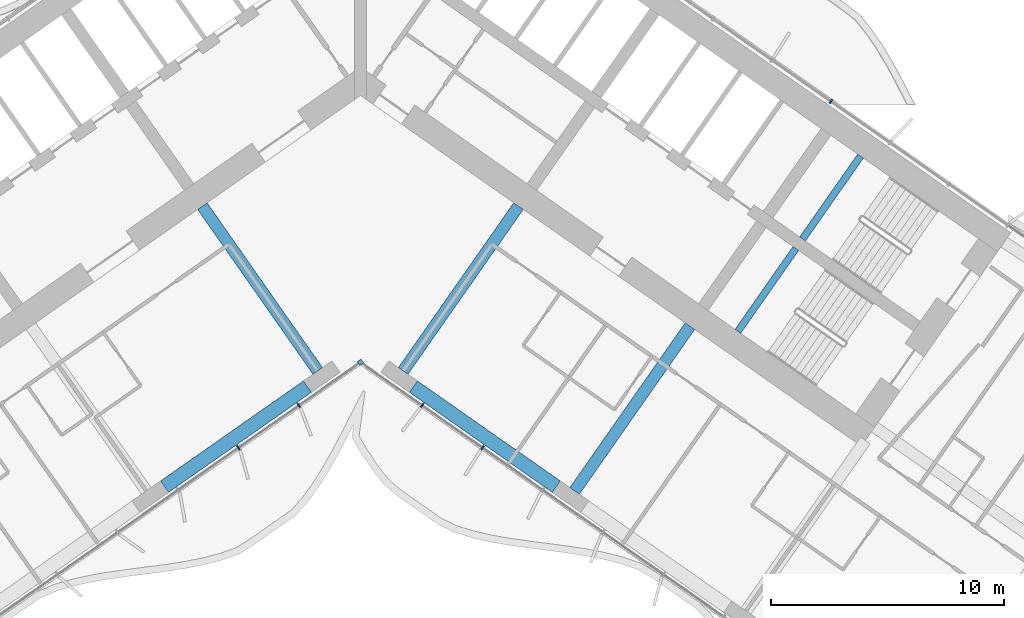
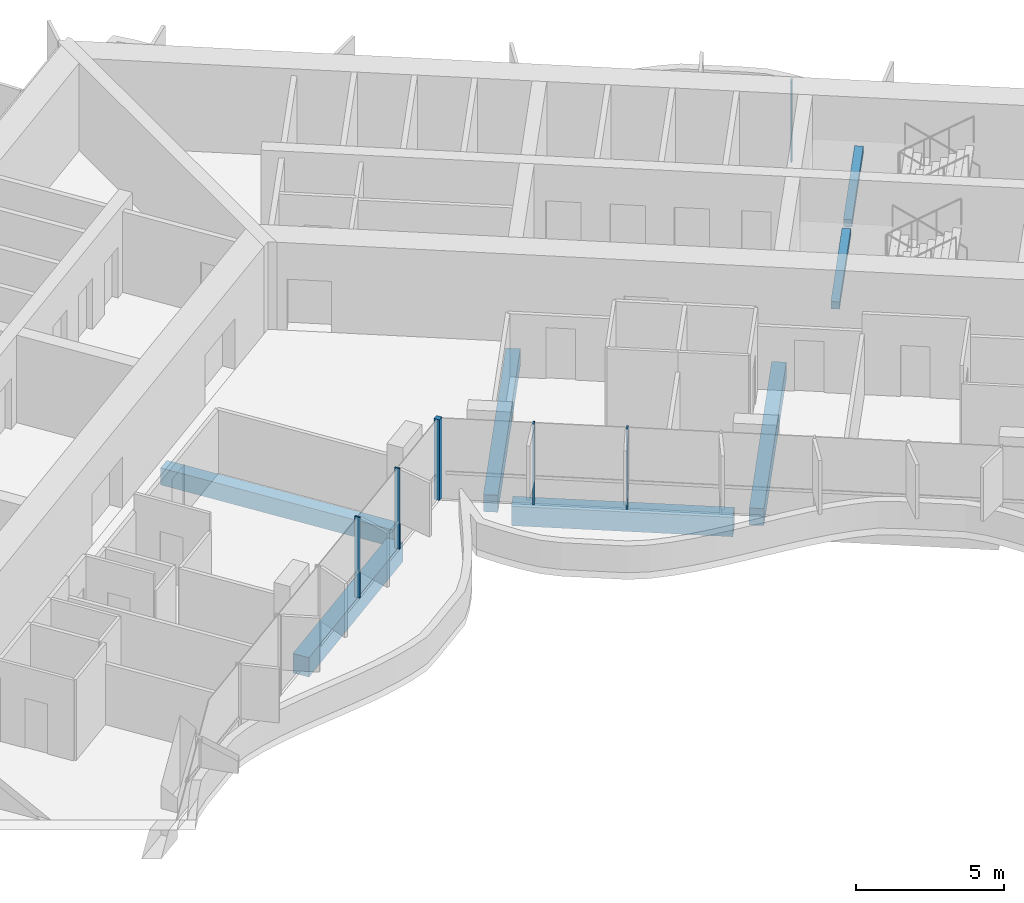
# One storey, part 6 of 23: 7 beams, 6 members, 2 elements without a shape of their own.
"""IFC4 building model written with IfcOpenShell, lengths in metres."""

from ifc_helpers import new_model, si_unit, direction, frame, origin, origin_2d, place, context, subcontext, project, spatial, rectangle, extrude, material, material_profile, profile_set, type_object, element, aggregate, save


model = new_model("IFC4")

# Units and contexts
model_context = context("Model", 3, precision=1e-05, world=origin(), true_north=direction((0.0, 1.0)))
body_context = subcontext(model_context, "Body", "Model", "MODEL_VIEW")
ifc_project = project(units=[si_unit("LENGTHUNIT", "METRE"), si_unit("AREAUNIT", "SQUARE_METRE"), si_unit("VOLUMEUNIT", "CUBIC_METRE"), si_unit("PLANEANGLEUNIT", "RADIAN"), si_unit("MASSUNIT", "GRAM", prefix="KILO")], contexts=[model_context])

# Site, building, storey
site_placement = place(None, origin())
site = spatial("IfcSite", under=ifc_project, at=site_placement, CompositionType="ELEMENT")
building_placement = place(site_placement, origin())
building = spatial("IfcBuilding", under=site, at=building_placement, Name="Tel Ilan Convention Tower", CompositionType="ELEMENT")
storey_placement = place(building_placement, frame((0.0, 0.0, 108.5)))
storey = spatial("IfcBuildingStorey", under=building, at=storey_placement, Name="L23", CompositionType="ELEMENT", Elevation=108.5)

# Beams
ifc_material_1 = material(Name="Concrete C40/50", Category="concrete")
ifc_material_profile_1 = material_profile(ifc_material_1, rectangle(XDim=0.5, YDim=0.699951171875, at=origin_2d()), Name="RC 500x700")
ifc_profile_set_1 = profile_set([ifc_material_profile_1], Name="Concrete C40/50")
beam_type_1 = type_object("IfcBeamType", Name="Beam RC 500x700 Concrete C40/50", PredefinedType="BEAM", material=ifc_profile_set_1)
for number, where, z_axis, x_axis, name in (
    (1, (-1.83740234375, -13.06689453125, -0.6298828125), (-0.573574099654, 0.819153680457, 0.0), (-0.819153680457, -0.573574099654, 0.0), "L23 beam W-W-F1-core"),
    (2, (1.83740234375, -13.06689453125, -0.6298828125), (0.573574099654, 0.819153680457, 0.0), (-0.819153680457, 0.573574099654, 0.0), "L23 beam E-E-F1-core"),
    (3, (9.209716796875, -18.229248046875, -0.6298828125), (0.573574099654, 0.819153680457, 0.0), (-0.819153680457, 0.573574099654, 0.0), "L23 beam E-E-F2-core"),
):
    element("IfcBeam", number, at=place(storey_placement, frame(where, z_axis=z_axis, x_axis=x_axis)), inside=storey, type_object=beam_type_1, Name=name, PredefinedType="BEAM", context=body_context, shape_type="SweptSolid", body=[
        extrude(rectangle(XDim=0.5, YDim=0.699951171875, at=origin_2d()), origin(), (0.0, 0.0, 1.0), 8.64990234375),
    ])
ifc_material_2 = material(Name="Concrete C40/50", Category="concrete")
ifc_material_profile_2 = material_profile(ifc_material_2, rectangle(XDim=0.60009765625, YDim=0.800048828125, at=origin_2d()), Name="RC 600x800")
ifc_profile_set_2 = profile_set([ifc_material_profile_2], Name="Concrete C40/50")
beam_type_2 = type_object("IfcBeamType", Name="Beam RC 600x800 Concrete C40/50", PredefinedType="BEAM", material=ifc_profile_set_2)
for number, where, z_axis, x_axis, name in (
    (4, (-2.279541015625, -13.742919921875, -0.679931640625), (-0.819147803225, -0.57358249317, 0.0), (0.57358249317, -0.819147803225, 0.0), "L23 beam W-W-F1-W-F2"),
    (5, (2.279541015625, -13.742919921875, -0.679931640625), (0.819147803225, -0.57358249317, 0.0), (0.57358249317, 0.819147803225, 0.0), "L23 beam E-E-F1-E-F2"),
):
    element("IfcBeam", number, at=place(storey_placement, frame(where, z_axis=z_axis, x_axis=x_axis)), inside=storey, type_object=beam_type_2, Name=name, PredefinedType="BEAM", context=body_context, shape_type="SweptSolid", body=[
        extrude(rectangle(XDim=0.60009765625, YDim=0.800048828125, at=origin_2d()), origin(), (0.0, 0.0, 1.0), 7.500244140625),
    ])

# Curtain wall, member
ifc_material_3 = material(Name="Aluminium, bronze anodised", Category="aluminium")
curtain_wall_type_1 = type_object("IfcCurtainWallType", Name="CW1 UNITISED CURTAIN WALL, HOTEL TINTED GLASS", PredefinedType="NOTDEFINED", material=ifc_material_3)
curtain_wall_1_placement = place(storey_placement, origin())
curtain_wall_1 = element("IfcCurtainWall", 6, at=curtain_wall_1_placement, inside=storey, type_object=curtain_wall_type_1, Name="Curtain wall CW1-19.02", PredefinedType="NOTDEFINED")
ifc_material_4 = material(Name="Aluminium, bronze anodised", Category="aluminium")
ifc_material_profile_3 = material_profile(ifc_material_4, rectangle(XDim=0.199951171875, YDim=0.199951171875, at=origin_2d()), Name="CW CORNER MULLION 200x200")
ifc_profile_set_3 = profile_set([ifc_material_profile_3], Name="Aluminium, bronze anodised")
member_type_1 = type_object("IfcMemberType", Name="CW CORNER MULLION 200x200", PredefinedType="MULLION", material=ifc_profile_set_3)
member_1_placement = place(storey_placement, frame((0.0, -12.696044921875, 0.0), z_axis=(0.0, 0.0, 1.0), x_axis=(0.819152044289, 0.573576436351, 0.0)))
member_1 = element("IfcMember", 7, at=member_1_placement, type_object=member_type_1, Name="Corner mullion", PredefinedType="MULLION", context=body_context, shape_type="SweptSolid", body=[
    extrude(rectangle(XDim=0.199951171875, YDim=0.199951171875, at=origin_2d()), origin(), (0.0, 0.0, 1.0), 3.320068359375),
])

ifc_material_5 = material(Name="Aluminium, bronze anodised", Category="aluminium")
curtain_wall_type_2 = type_object("IfcCurtainWallType", Name="CW2 STICK CURTAIN WALL, SPANDREL PANELS", PredefinedType="NOTDEFINED", material=ifc_material_5)
curtain_wall_2_placement = place(storey_placement, origin())
curtain_wall_2 = element("IfcCurtainWall", 8, at=curtain_wall_2_placement, inside=storey, type_object=curtain_wall_type_2, Name="Curtain wall CW2-19.01", PredefinedType="NOTDEFINED")
ifc_material_6 = material(Name="Aluminium, bronze anodised", Category="aluminium")
ifc_material_profile_4 = material_profile(ifc_material_6, rectangle(XDim=0.06005859375, YDim=0.199951171875, at=origin_2d()), Name="CW MULLION 60x200")
ifc_profile_set_4 = profile_set([ifc_material_profile_4], Name="Aluminium, bronze anodised")
member_type_2 = type_object("IfcMemberType", Name="CW MULLION 60x200", PredefinedType="MULLION", material=ifc_profile_set_4)
member_2_placement = place(storey_placement, frame((20.238037109375, -1.474853515625, 0.0), z_axis=(0.0, 0.0, 1.0), x_axis=(-0.819152044289, 0.573576436351, 0.0)))
member_2 = element("IfcMember", 9, at=member_2_placement, type_object=member_type_2, Name="Mullion", PredefinedType="MULLION", context=body_context, shape_type="SweptSolid", body=[
    extrude(rectangle(XDim=0.06005859375, YDim=0.199951171875, at=origin_2d()), origin(), (0.0, 0.0, 1.0), 3.320068359375),
])
aggregate(curtain_wall_2, [member_2])

# Member
member_3_placement = place(storey_placement, frame((-5.24755859375, -16.370361328125, 0.0), z_axis=(0.0, 0.0, 1.0), x_axis=(0.819152044289, 0.573576436351, 0.0)))
member_3 = element("IfcMember", 10, at=member_3_placement, type_object=member_type_2, Name="Mullion", PredefinedType="MULLION", context=body_context, shape_type="SweptSolid", body=[
    extrude(rectangle(XDim=0.06005859375, YDim=0.199951171875, at=origin_2d()), origin(), (0.0, 0.0, 1.0), 3.320068359375),
])

member_4_placement = place(storey_placement, frame((-2.65234375, -14.55322265625, 0.0), z_axis=(0.0, 0.0, 1.0), x_axis=(0.819152044289, 0.573576436351, 0.0)))
member_4 = element("IfcMember", 11, at=member_4_placement, type_object=member_type_2, Name="Mullion", PredefinedType="MULLION", context=body_context, shape_type="SweptSolid", body=[
    extrude(rectangle(XDim=0.06005859375, YDim=0.199951171875, at=origin_2d()), origin(), (0.0, 0.0, 1.0), 3.320068359375),
])

member_5_placement = place(storey_placement, frame((2.65234375, -14.55322265625, 0.0), z_axis=(0.0, 0.0, 1.0), x_axis=(0.819152044289, -0.573576436351, 0.0)))
member_5 = element("IfcMember", 12, at=member_5_placement, type_object=member_type_2, Name="Mullion", PredefinedType="MULLION", context=body_context, shape_type="SweptSolid", body=[
    extrude(rectangle(XDim=0.06005859375, YDim=0.199951171875, at=origin_2d()), origin(), (0.0, 0.0, 1.0), 3.320068359375),
])

member_6_placement = place(storey_placement, frame((5.24755859375, -16.370361328125, 0.0), z_axis=(0.0, 0.0, 1.0), x_axis=(0.819152044289, -0.573576436351, 0.0)))
member_6 = element("IfcMember", 13, at=member_6_placement, type_object=member_type_2, Name="Mullion", PredefinedType="MULLION", context=body_context, shape_type="SweptSolid", body=[
    extrude(rectangle(XDim=0.06005859375, YDim=0.199951171875, at=origin_2d()), origin(), (0.0, 0.0, 1.0), 3.320068359375),
])

aggregate(curtain_wall_1, [member_3, member_4, member_1, member_5, member_6])

# Beams
ifc_material_7 = material(Name="Concrete C40/50", Category="concrete")
ifc_material_profile_5 = material_profile(ifc_material_7, rectangle(XDim=0.300048828125, YDim=0.300048828125, at=origin_2d()), Name="RC 300x300")
ifc_profile_set_5 = profile_set([ifc_material_profile_5], Name="Concrete C40/50")
beam_type_3 = type_object("IfcBeamType", Name="Landing Beam RC 300x300 Concrete C40/50", PredefinedType="BEAM", material=ifc_profile_set_5)
beam_1_placement = place(storey_placement, frame((21.5087890625, -3.829345703125, 1.449951171875), z_axis=(-0.57356780395, -0.819158088694, 0.0), x_axis=(0.819158088694, -0.57356780395, 0.0)))
element("IfcBeam", 14, at=beam_1_placement, inside=storey, type_object=beam_type_3, Name="S3 landing beam L23.1", PredefinedType="BEAM", context=body_context, shape_type="SweptSolid", body=[
    extrude(rectangle(XDim=0.300048828125, YDim=0.300048828125, at=origin_2d()), origin(), (0.0, 0.0, 1.0), 4.35009765625),
])
beam_2_placement = place(storey_placement, frame((18.726806640625, -7.80224609375, 1.449951171875), z_axis=(-0.573594173421, -0.819139624372, 0.0), x_axis=(0.819139624372, -0.573594173421, 0.0)))
element("IfcBeam", 15, at=beam_2_placement, inside=storey, type_object=beam_type_3, Name="S4 landing beam L23.1", PredefinedType="BEAM", context=body_context, shape_type="SweptSolid", body=[
    extrude(rectangle(XDim=0.300048828125, YDim=0.300048828125, at=origin_2d()), origin(), (0.0, 0.0, 1.0), 4.349853515625),
])

save(model, "model.ifc")
